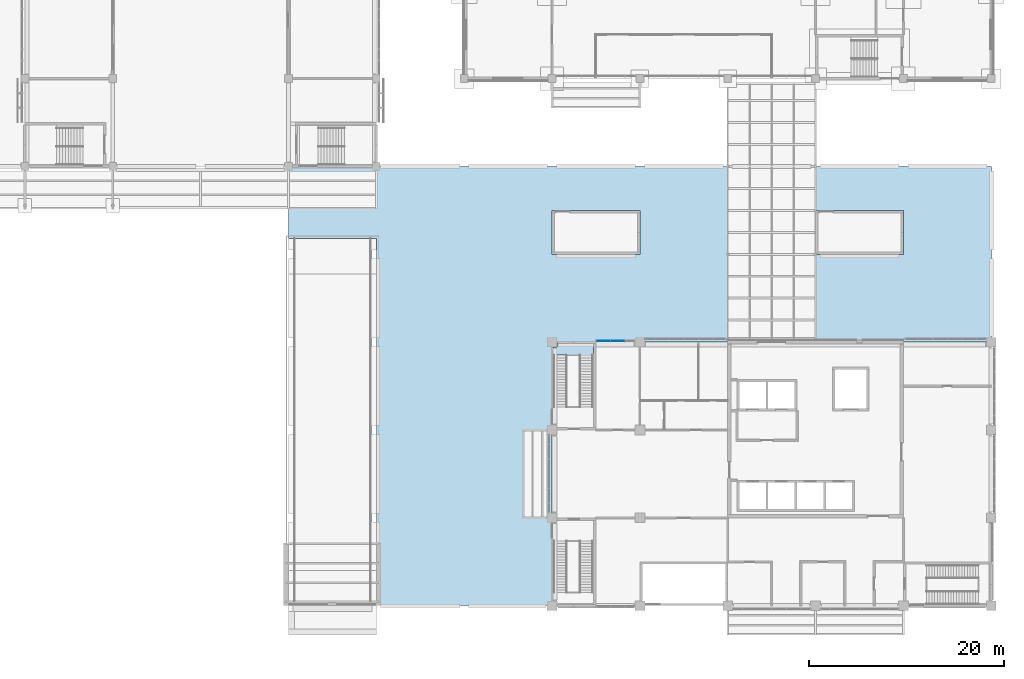
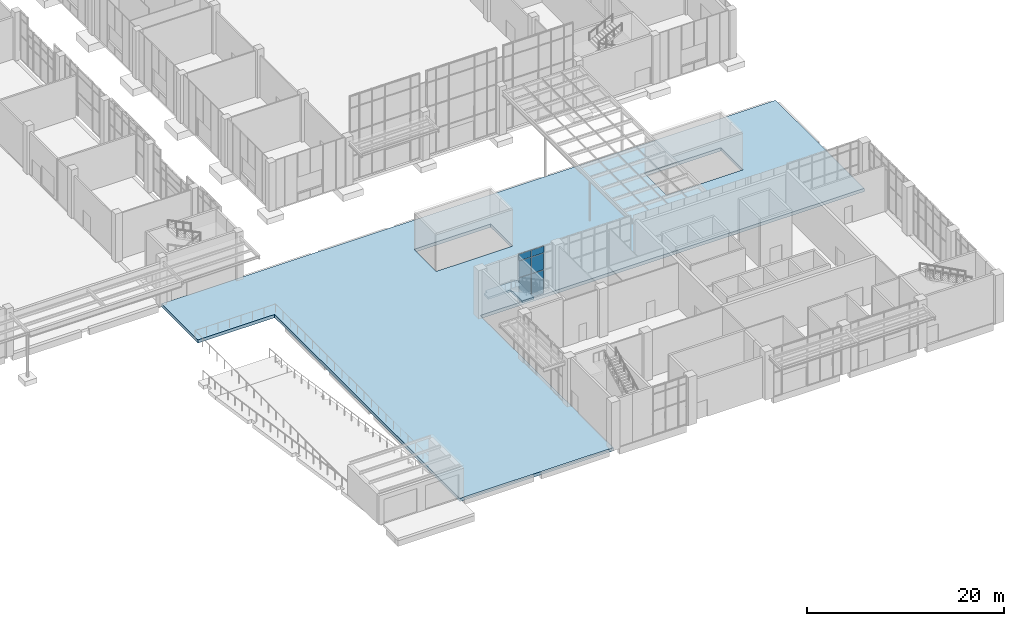
# One storey, part 46 of 86: 6 plates, 2 slabs, 2 elements without a shape of their own.
"""IFC4 building model written with IfcOpenShell, lengths in metres."""

from ifc_helpers import new_model, si_unit, direction, frame, origin, origin_2d, place, context, subcontext, project, spatial, polyline, rectangle, outline, extrude, material, layer, layer_set, type_object, element, aggregate, save


model = new_model("IFC4")

# Units and contexts
model_context = context("Model", 3, precision=1e-05, world=origin(), true_north=direction((0.0, 1.0)))
body_context = subcontext(model_context, "Body", "Model", "MODEL_VIEW")
ifc_project = project(units=[si_unit("LENGTHUNIT", "METRE"), si_unit("AREAUNIT", "SQUARE_METRE"), si_unit("VOLUMEUNIT", "CUBIC_METRE"), si_unit("PLANEANGLEUNIT", "RADIAN"), si_unit("MASSUNIT", "GRAM", prefix="KILO")], contexts=[model_context])

# Site, building, storey
site_placement = place(None, origin())
site = spatial("IfcSite", under=ifc_project, at=site_placement, CompositionType="ELEMENT")
building_placement = place(site_placement, origin())
building = spatial("IfcBuilding", under=site, at=building_placement, Name="Guidao Yard Department Store", CompositionType="ELEMENT")
storey_placement = place(building_placement, origin())
storey = spatial("IfcBuildingStorey", under=building, at=storey_placement, Name="L00", CompositionType="ELEMENT", Elevation=0.0)

# Slab
ifc_material_1 = material(Name="Concrete C35", Category="concrete")
ifc_layer_1 = layer(ifc_material_1, 0.39990234375)
ifc_layer_set_1 = layer_set([ifc_layer_1], Name="Deck slab 400 C35")
slab_type_1 = type_object("IfcSlabType", Name="Deck slab 400 C35", PredefinedType="FLOOR", material=ifc_layer_set_1)
slab_1_placement = place(storey_placement, frame((0.0, 0.0, -0.39990234375)))
element("IfcSlab", 1, at=slab_1_placement, inside=storey, type_object=slab_type_1, Name="Slab L00-D", PredefinedType="FLOOR", context=body_context, shape_type="SweptSolid", body=[
    extrude(outline(polyline([(171.0, 45.0), (171.0, 27.0), (126.0, 27.0), (126.0, 0.0), (108.0, 0.0), (108.0, 37.60009765625), (99.0, 37.60009765625), (99.0, 45.0), (171.0, 45.0)]), holes=[polyline([(135.0, 36.0), (135.0, 40.5), (126.0, 40.5), (126.0, 36.0), (135.0, 36.0)]), polyline([(162.0, 36.0), (162.0, 40.5), (153.0, 40.5), (153.0, 36.0), (162.0, 36.0)])]), origin(), (0.0, 0.0, 1.0), 0.39990234375),
])

# Curtain wall, plates
ifc_material_2 = material(Name="Aluminium and glass", Category="aluminium")
ifc_layer_2 = layer(ifc_material_2, 0.159912109375)
ifc_layer_set_2 = layer_set([ifc_layer_2], Name="Unitised curtain wall CW4 1500 module")
curtain_wall_type = type_object("IfcCurtainWallType", Name="Unitised curtain wall CW4 1500 module", PredefinedType="NOTDEFINED", material=ifc_layer_set_2)
curtain_wall_placement = place(storey_placement, origin())
curtain_wall = element("IfcCurtainWall", 2, at=curtain_wall_placement, inside=storey, type_object=curtain_wall_type, Name="Unitised curtain wall", PredefinedType="NOTDEFINED")
ifc_material_3 = material(Name="Aluminium 6063-T5 faced insulated spandrel", Category="aluminium")
ifc_layer_3 = layer(ifc_material_3, 0.06005859375)
ifc_layer_set_3 = layer_set([ifc_layer_3], Name="Spandrel panel SP1 insulated opaque")
plate_type_1 = type_object("IfcPlateType", Name="Spandrel panel SP1 insulated opaque", PredefinedType="CURTAIN_PANEL", material=ifc_layer_set_3)
plate_1_placement = place(storey_placement, frame((131.264892578125, 27.10009765625, 5.1298828125), z_axis=(0.0, 0.0, 1.0), x_axis=(1.0, 0.0, 0.0)))
plate_1 = element("IfcPlate", 3, at=plate_1_placement, type_object=plate_type_1, Name="CW-OW-L00-05 panel 1.3", PredefinedType="CURTAIN_PANEL", context=body_context, shape_type="SweptSolid", body=[
    extrude(rectangle(XDim=1.409912109375, YDim=0.06005859375, at=origin_2d()), origin(), (0.0, 0.0, 1.0), 0.81005859375),
])
plate_2_placement = place(storey_placement, frame((132.75, 27.10009765625, 5.1298828125), z_axis=(0.0, 0.0, 1.0), x_axis=(1.0, 0.0, 0.0)))
plate_2 = element("IfcPlate", 4, at=plate_2_placement, type_object=plate_type_1, Name="CW-OW-L00-05 panel 2.3", PredefinedType="CURTAIN_PANEL", context=body_context, shape_type="SweptSolid", body=[
    extrude(rectangle(XDim=1.43994140625, YDim=0.06005859375, at=origin_2d()), origin(), (0.0, 0.0, 1.0), 0.81005859375),
])

# Stair, slab
ifc_material_4 = material(Name="Concrete C35", Category="concrete")
stair_type = type_object("IfcStairType", Name="Stair half-turn two-flight 1400 wide 6.0 m rise", PredefinedType="HALF_TURN_STAIR", material=ifc_material_4)
stair_placement = place(storey_placement, origin())
stair = element("IfcStair", 5, at=stair_placement, inside=storey, type_object=stair_type, Name="Stair O3 L00 to L01", PredefinedType="HALF_TURN_STAIR")
ifc_material_5 = material(Name="Concrete C35", Category="concrete")
ifc_layer_4 = layer(ifc_material_5, 0.25)
ifc_layer_set_4 = layer_set([ifc_layer_4], Name="Stair landing RC 250 C35")
slab_type_2 = type_object("IfcSlabType", Name="Stair landing RC 250 C35", PredefinedType="LANDING", material=ifc_layer_set_4)
slab_2_placement = place(storey_placement, frame((0.0, 0.0, 2.75)))
slab_2 = element("IfcSlab", 6, at=slab_2_placement, type_object=slab_type_2, Name="SO3-L00 landing 1", PredefinedType="LANDING", context=body_context, shape_type="SweptSolid", body=[
    extrude(outline(polyline([(128.800048828125, 25.669921875), (127.52490234375, 25.669921875), (127.52490234375, 25.659912109375), (126.125, 25.659912109375), (126.125, 25.669921875), (126.125, 26.5), (126.5, 26.5), (126.5, 26.875), (130.25, 26.875), (130.25, 25.669921875), (130.199951171875, 25.669921875), (130.199951171875, 23.39208984375), (128.800048828125, 23.39208984375), (128.800048828125, 25.669921875)])), origin(), (0.0, 0.0, 1.0), 0.25),
])
aggregate(stair, [slab_2])

# Plate
ifc_material_6 = material(Name="Laminated heat-soaked tempered glass", Category="glass")
ifc_layer_5 = layer(ifc_material_6, 0.017578125)
ifc_layer_set_5 = layer_set([ifc_layer_5], Name="Vision glass VG1 laminated heat-soaked tempered 8+8")
plate_type_2 = type_object("IfcPlateType", Name="Vision glass VG1 laminated heat-soaked tempered 8+8", PredefinedType="CURTAIN_PANEL", material=ifc_layer_set_5)
plate_3_placement = place(storey_placement, frame((131.264892578125, 27.10009765625, 0.06005859375), z_axis=(0.0, 0.0, 1.0), x_axis=(1.0, 0.0, 0.0)))
plate_3 = element("IfcPlate", 7, at=plate_3_placement, type_object=plate_type_2, Name="CW-OW-L00-05 panel 1.1", PredefinedType="CURTAIN_PANEL", context=body_context, shape_type="SweptSolid", body=[
    extrude(rectangle(XDim=1.409912109375, YDim=0.017578125, at=origin_2d()), origin(), (0.0, 0.0, 1.0), 2.909912109375),
])

plate_4_placement = place(storey_placement, frame((131.264892578125, 27.10009765625, 3.030029296875), z_axis=(0.0, 0.0, 1.0), x_axis=(1.0, 0.0, 0.0)))
plate_4 = element("IfcPlate", 8, at=plate_4_placement, type_object=plate_type_2, Name="CW-OW-L00-05 panel 1.2", PredefinedType="CURTAIN_PANEL", context=body_context, shape_type="SweptSolid", body=[
    extrude(rectangle(XDim=1.409912109375, YDim=0.017578125, at=origin_2d()), origin(), (0.0, 0.0, 1.0), 2.0400390625),
])

plate_5_placement = place(storey_placement, frame((132.75, 27.10009765625, 0.06005859375), z_axis=(0.0, 0.0, 1.0), x_axis=(1.0, 0.0, 0.0)))
plate_5 = element("IfcPlate", 9, at=plate_5_placement, type_object=plate_type_2, Name="CW-OW-L00-05 panel 2.1", PredefinedType="CURTAIN_PANEL", context=body_context, shape_type="SweptSolid", body=[
    extrude(rectangle(XDim=1.43994140625, YDim=0.017578125, at=origin_2d()), origin(), (0.0, 0.0, 1.0), 2.909912109375),
])

plate_6_placement = place(storey_placement, frame((132.75, 27.10009765625, 3.030029296875), z_axis=(0.0, 0.0, 1.0), x_axis=(1.0, 0.0, 0.0)))
plate_6 = element("IfcPlate", 10, at=plate_6_placement, type_object=plate_type_2, Name="CW-OW-L00-05 panel 2.2", PredefinedType="CURTAIN_PANEL", context=body_context, shape_type="SweptSolid", body=[
    extrude(rectangle(XDim=1.43994140625, YDim=0.017578125, at=origin_2d()), origin(), (0.0, 0.0, 1.0), 2.0400390625),
])

aggregate(curtain_wall, [plate_3, plate_4, plate_1, plate_5, plate_6, plate_2])

save(model, "model.ifc")
